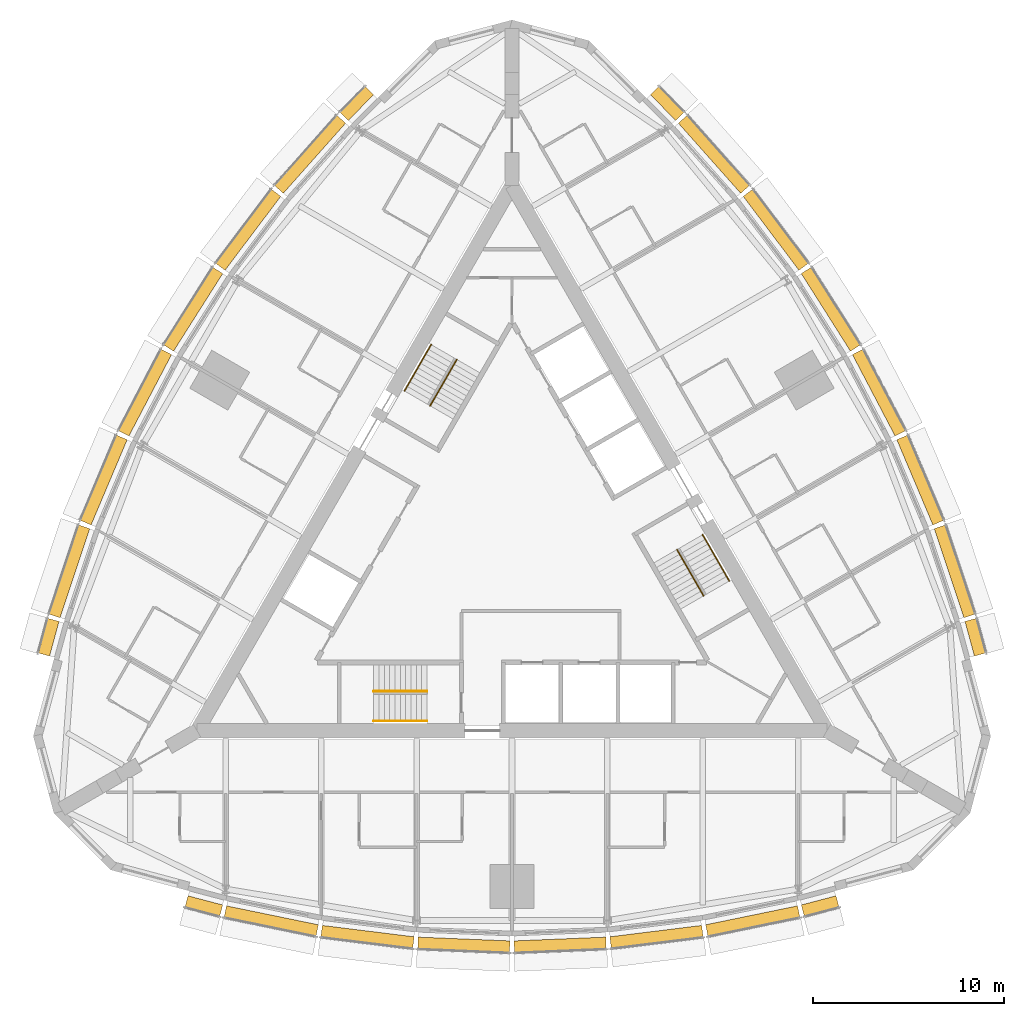
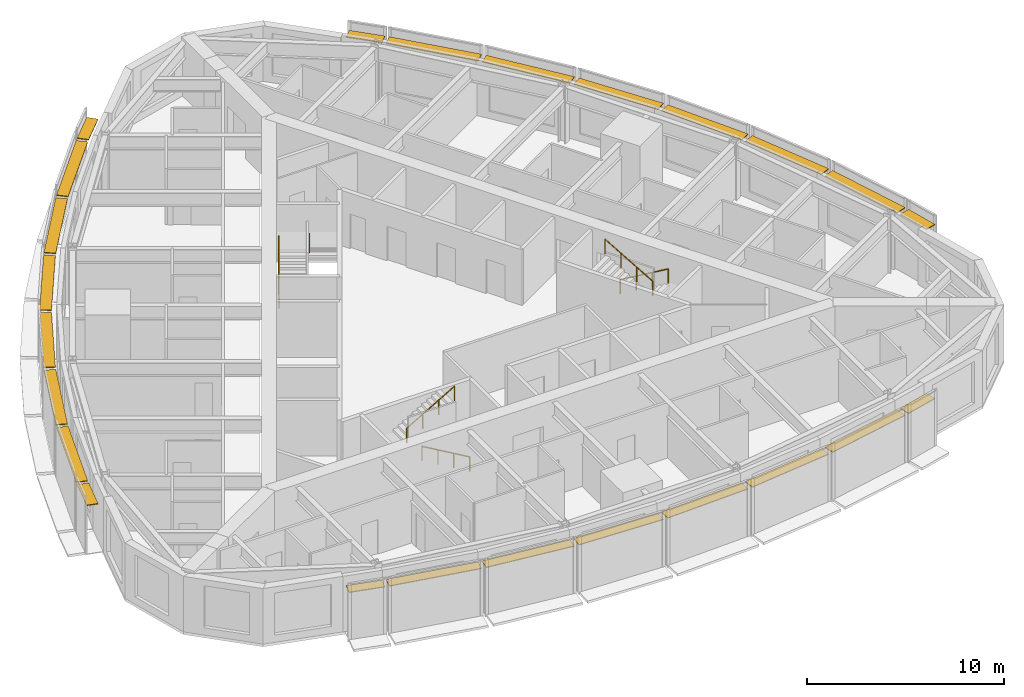
# One storey, part 15 of 15: 24 shading devices, 6 railings.
"""IFC4 building model written with IfcOpenShell, lengths in metres."""

from ifc_helpers import new_model, si_unit, direction, frame, origin, origin_2d, place, context, subcontext, project, spatial, rectangle, circle, extrude, material, type_object, element, save


model = new_model("IFC4")

# Units and contexts
model_context = context("Model", 3, precision=1e-05, world=origin(), true_north=direction((0.0, 1.0)))
body_context = subcontext(model_context, "Body", "Model", "MODEL_VIEW")
ifc_project = project(units=[si_unit("LENGTHUNIT", "METRE"), si_unit("AREAUNIT", "SQUARE_METRE"), si_unit("VOLUMEUNIT", "CUBIC_METRE"), si_unit("PLANEANGLEUNIT", "RADIAN"), si_unit("MASSUNIT", "GRAM", prefix="KILO")], contexts=[model_context])

# Site, building, storey
site_placement = place(None, origin())
site = spatial("IfcSite", under=ifc_project, at=site_placement, CompositionType="ELEMENT")
building_placement = place(site_placement, origin())
building = spatial("IfcBuilding", under=site, at=building_placement, Name="Trikona Tower", CompositionType="ELEMENT")
storey_placement = place(building_placement, frame((0.0, 0.0, 204.5)))
storey = spatial("IfcBuildingStorey", under=building, at=storey_placement, Name="L54", CompositionType="ELEMENT", Elevation=204.5)

# Shading devices
ifc_material_1 = material(Name="Aluminium louvre blade, pale anodised", Category="aluminium")
shading_device_type = type_object("IfcShadingDeviceType", Name="Cavity louvre 600", PredefinedType="USERDEFINED", material=ifc_material_1)
shading_device_1_placement = place(storey_placement, frame((-16.14404296875, -18.707763671875, 2.97509765625), z_axis=(0.0, 0.0, 1.0), x_axis=(0.966993038714, -0.254802792527, 0.0)))
element("IfcShadingDevice", 1, at=shading_device_1_placement, inside=storey, type_object=shading_device_type, Name="Cavity louvre L54-00", ObjectType="LOUVRE", PredefinedType="USERDEFINED", context=body_context, shape_type="SweptSolid", body=[
    extrude(rectangle(XDim=1.87841796875, YDim=0.60009765625, at=origin_2d()), origin(), (0.0, 0.0, 1.0), 0.050048828125),
])
shading_device_2_placement = place(storey_placement, frame((-12.614013671875, -19.492919921875, 2.97509765625), z_axis=(0.0, 0.0, 1.0), x_axis=(0.979457514864, -0.201650629992, 0.0)))
element("IfcShadingDevice", 2, at=shading_device_2_placement, inside=storey, type_object=shading_device_type, Name="Cavity louvre L54-01", ObjectType="LOUVRE", PredefinedType="USERDEFINED", context=body_context, shape_type="SweptSolid", body=[
    extrude(rectangle(XDim=4.914794921875, YDim=0.60009765625, at=origin_2d()), origin(), (0.0, 0.0, 1.0), 0.050048828125),
])
shading_device_3_placement = place(storey_placement, frame((-7.5693359375, -20.323974609375, 2.97509765625), z_axis=(0.0, 0.0, 1.0), x_axis=(0.992455266199, -0.122607277901, 0.0)))
element("IfcShadingDevice", 3, at=shading_device_3_placement, inside=storey, type_object=shading_device_type, Name="Cavity louvre L54-02", ObjectType="LOUVRE", PredefinedType="USERDEFINED", context=body_context, shape_type="SweptSolid", body=[
    extrude(rectangle(XDim=4.847900390625, YDim=0.60009765625, at=origin_2d()), origin(), (0.0, 0.0, 1.0), 0.050048828125),
])
for number, where, z_axis, x_axis, name in (
    (4, (-2.523193359375, -20.739501953125, 2.97509765625), (0.0, 0.0, 1.0), (0.999153186307, -0.041144991109, 0.0), "Cavity louvre L54-03"),
    (5, (2.523193359375, -20.739501953125, 2.97509765625), (0.0, 0.0, 1.0), (0.999153186307, 0.041144991109, 0.0), "Cavity louvre L54-04"),
):
    element("IfcShadingDevice", number, at=place(storey_placement, frame(where, z_axis=z_axis, x_axis=x_axis)), inside=storey, type_object=shading_device_type, Name=name, ObjectType="LOUVRE", PredefinedType="USERDEFINED", context=body_context, shape_type="SweptSolid", body=[
        extrude(rectangle(XDim=4.814208984375, YDim=0.60009765625, at=origin_2d()), origin(), (0.0, 0.0, 1.0), 0.050048828125),
    ])
shading_device_4_placement = place(storey_placement, frame((7.5693359375, -20.323974609375, 2.97509765625), z_axis=(0.0, 0.0, 1.0), x_axis=(0.992455266199, 0.122607277901, 0.0)))
element("IfcShadingDevice", 6, at=shading_device_4_placement, inside=storey, type_object=shading_device_type, Name="Cavity louvre L54-05", ObjectType="LOUVRE", PredefinedType="USERDEFINED", context=body_context, shape_type="SweptSolid", body=[
    extrude(rectangle(XDim=4.847900390625, YDim=0.60009765625, at=origin_2d()), origin(), (0.0, 0.0, 1.0), 0.050048828125),
])
shading_device_5_placement = place(storey_placement, frame((12.614013671875, -19.492919921875, 2.97509765625), z_axis=(0.0, 0.0, 1.0), x_axis=(0.979457514864, 0.201650629992, 0.0)))
element("IfcShadingDevice", 7, at=shading_device_5_placement, inside=storey, type_object=shading_device_type, Name="Cavity louvre L54-06", ObjectType="LOUVRE", PredefinedType="USERDEFINED", context=body_context, shape_type="SweptSolid", body=[
    extrude(rectangle(XDim=4.914794921875, YDim=0.60009765625, at=origin_2d()), origin(), (0.0, 0.0, 1.0), 0.050048828125),
])
for number, where, z_axis, x_axis, name in (
    (8, (16.14404296875, -18.707763671875, 2.97509765625), (0.0, 0.0, 1.0), (0.966993038714, 0.254802792527, 0.0), "Cavity louvre L54-07"),
    (9, (24.273193359375, -4.627197265625, 2.97509765625), (0.0, 0.0, 1.0), (-0.262822408229, 0.964844226667, 0.0), "Cavity louvre L54-12"),
):
    element("IfcShadingDevice", number, at=place(storey_placement, frame(where, z_axis=z_axis, x_axis=x_axis)), inside=storey, type_object=shading_device_type, Name=name, ObjectType="LOUVRE", PredefinedType="USERDEFINED", context=body_context, shape_type="SweptSolid", body=[
        extrude(rectangle(XDim=1.87841796875, YDim=0.60009765625, at=origin_2d()), origin(), (0.0, 0.0, 1.0), 0.050048828125),
    ])
shading_device_6_placement = place(storey_placement, frame((23.1884765625, -1.177490234375, 2.97509765625), z_axis=(0.0, 0.0, 1.0), x_axis=(-0.315092532747, 0.949060954737, 0.0)))
element("IfcShadingDevice", 10, at=shading_device_6_placement, inside=storey, type_object=shading_device_type, Name="Cavity louvre L54-13", ObjectType="LOUVRE", PredefinedType="USERDEFINED", context=body_context, shape_type="SweptSolid", body=[
    extrude(rectangle(XDim=4.914794921875, YDim=0.60009765625, at=origin_2d()), origin(), (0.0, 0.0, 1.0), 0.050048828125),
])
shading_device_7_placement = place(storey_placement, frame((21.385498046875, 3.606689453125, 2.97509765625), z_axis=(0.0, 0.0, 1.0), x_axis=(-0.390051437015, 0.920793069306, 0.0)))
element("IfcShadingDevice", 11, at=shading_device_7_placement, inside=storey, type_object=shading_device_type, Name="Cavity louvre L54-14", ObjectType="LOUVRE", PredefinedType="USERDEFINED", context=body_context, shape_type="SweptSolid", body=[
    extrude(rectangle(XDim=4.847900390625, YDim=0.60009765625, at=origin_2d()), origin(), (0.0, 0.0, 1.0), 0.050048828125),
])
for number, where, z_axis, x_axis, name in (
    (12, (19.222412109375, 8.1845703125, 2.97509765625), (0.0, 0.0, 1.0), (-0.463951716224, 0.885860488459, 0.0), "Cavity louvre L54-15"),
    (13, (16.69921875, 12.554931640625, 2.97509765625), (0.0, 0.0, 1.0), (-0.535204777743, 0.844722348397, 0.0), "Cavity louvre L54-16"),
):
    element("IfcShadingDevice", number, at=place(storey_placement, frame(where, z_axis=z_axis, x_axis=x_axis)), inside=storey, type_object=shading_device_type, Name=name, ObjectType="LOUVRE", PredefinedType="USERDEFINED", context=body_context, shape_type="SweptSolid", body=[
        extrude(rectangle(XDim=4.814208984375, YDim=0.60009765625, at=origin_2d()), origin(), (0.0, 0.0, 1.0), 0.050048828125),
    ])
shading_device_8_placement = place(storey_placement, frame((13.81640625, 16.717041015625, 2.97509765625), z_axis=(0.0, 0.0, 1.0), x_axis=(-0.602401684924, 0.798193090674, 0.0)))
element("IfcShadingDevice", 14, at=shading_device_8_placement, inside=storey, type_object=shading_device_type, Name="Cavity louvre L54-17", ObjectType="LOUVRE", PredefinedType="USERDEFINED", context=body_context, shape_type="SweptSolid", body=[
    extrude(rectangle(XDim=4.847900390625, YDim=0.60009765625, at=origin_2d()), origin(), (0.0, 0.0, 1.0), 0.050048828125),
])
shading_device_9_placement = place(storey_placement, frame((10.574462890625, 20.67041015625, 2.97509765625), z_axis=(0.0, 0.0, 1.0), x_axis=(-0.664367239113, 0.747406296196, 0.0)))
element("IfcShadingDevice", 15, at=shading_device_9_placement, inside=storey, type_object=shading_device_type, Name="Cavity louvre L54-18", ObjectType="LOUVRE", PredefinedType="USERDEFINED", context=body_context, shape_type="SweptSolid", body=[
    extrude(rectangle(XDim=4.914794921875, YDim=0.60009765625, at=origin_2d()), origin(), (0.0, 0.0, 1.0), 0.050048828125),
])
for number, where, z_axis, x_axis, name in (
    (16, (8.12939453125, 23.3349609375, 2.97509765625), (0.0, 0.0, 1.0), (-0.704151057285, 0.710050201412, 0.0), "Cavity louvre L54-19"),
    (17, (-8.12939453125, 23.3349609375, 2.97509765625), (0.0, 0.0, 1.0), (-0.704151057285, -0.710050201412, 0.0), "Cavity louvre L54-24"),
):
    element("IfcShadingDevice", number, at=place(storey_placement, frame(where, z_axis=z_axis, x_axis=x_axis)), inside=storey, type_object=shading_device_type, Name=name, ObjectType="LOUVRE", PredefinedType="USERDEFINED", context=body_context, shape_type="SweptSolid", body=[
        extrude(rectangle(XDim=1.87841796875, YDim=0.60009765625, at=origin_2d()), origin(), (0.0, 0.0, 1.0), 0.050048828125),
    ])
shading_device_10_placement = place(storey_placement, frame((-10.574462890625, 20.67041015625, 2.97509765625), z_axis=(0.0, 0.0, 1.0), x_axis=(-0.664367239113, -0.747406296196, 0.0)))
element("IfcShadingDevice", 18, at=shading_device_10_placement, inside=storey, type_object=shading_device_type, Name="Cavity louvre L54-25", ObjectType="LOUVRE", PredefinedType="USERDEFINED", context=body_context, shape_type="SweptSolid", body=[
    extrude(rectangle(XDim=4.914794921875, YDim=0.60009765625, at=origin_2d()), origin(), (0.0, 0.0, 1.0), 0.050048828125),
])
shading_device_11_placement = place(storey_placement, frame((-13.81640625, 16.717041015625, 2.97509765625), z_axis=(0.0, 0.0, 1.0), x_axis=(-0.602401684924, -0.798193090674, 0.0)))
element("IfcShadingDevice", 19, at=shading_device_11_placement, inside=storey, type_object=shading_device_type, Name="Cavity louvre L54-26", ObjectType="LOUVRE", PredefinedType="USERDEFINED", context=body_context, shape_type="SweptSolid", body=[
    extrude(rectangle(XDim=4.847900390625, YDim=0.60009765625, at=origin_2d()), origin(), (0.0, 0.0, 1.0), 0.050048828125),
])
for number, where, z_axis, x_axis, name in (
    (20, (-16.69921875, 12.554931640625, 2.97509765625), (0.0, 0.0, 1.0), (-0.535204777743, -0.844722348397, 0.0), "Cavity louvre L54-27"),
    (21, (-19.222412109375, 8.1845703125, 2.97509765625), (0.0, 0.0, 1.0), (-0.463951716224, -0.885860488459, 0.0), "Cavity louvre L54-28"),
):
    element("IfcShadingDevice", number, at=place(storey_placement, frame(where, z_axis=z_axis, x_axis=x_axis)), inside=storey, type_object=shading_device_type, Name=name, ObjectType="LOUVRE", PredefinedType="USERDEFINED", context=body_context, shape_type="SweptSolid", body=[
        extrude(rectangle(XDim=4.814208984375, YDim=0.60009765625, at=origin_2d()), origin(), (0.0, 0.0, 1.0), 0.050048828125),
    ])
shading_device_12_placement = place(storey_placement, frame((-21.385498046875, 3.606689453125, 2.97509765625), z_axis=(0.0, 0.0, 1.0), x_axis=(-0.390051437015, -0.920793069306, 0.0)))
element("IfcShadingDevice", 22, at=shading_device_12_placement, inside=storey, type_object=shading_device_type, Name="Cavity louvre L54-29", ObjectType="LOUVRE", PredefinedType="USERDEFINED", context=body_context, shape_type="SweptSolid", body=[
    extrude(rectangle(XDim=4.847900390625, YDim=0.60009765625, at=origin_2d()), origin(), (0.0, 0.0, 1.0), 0.050048828125),
])
shading_device_13_placement = place(storey_placement, frame((-23.1884765625, -1.177490234375, 2.97509765625), z_axis=(0.0, 0.0, 1.0), x_axis=(-0.315092532747, -0.949060954737, 0.0)))
element("IfcShadingDevice", 23, at=shading_device_13_placement, inside=storey, type_object=shading_device_type, Name="Cavity louvre L54-30", ObjectType="LOUVRE", PredefinedType="USERDEFINED", context=body_context, shape_type="SweptSolid", body=[
    extrude(rectangle(XDim=4.914794921875, YDim=0.60009765625, at=origin_2d()), origin(), (0.0, 0.0, 1.0), 0.050048828125),
])
shading_device_14_placement = place(storey_placement, frame((-24.273193359375, -4.627197265625, 2.97509765625), z_axis=(0.0, 0.0, 1.0), x_axis=(-0.262822408229, -0.964844226667, 0.0)))
element("IfcShadingDevice", 24, at=shading_device_14_placement, inside=storey, type_object=shading_device_type, Name="Cavity louvre L54-31", ObjectType="LOUVRE", PredefinedType="USERDEFINED", context=body_context, shape_type="SweptSolid", body=[
    extrude(rectangle(XDim=1.87841796875, YDim=0.60009765625, at=origin_2d()), origin(), (0.0, 0.0, 1.0), 0.050048828125),
])

# Railings
ifc_material_2 = material(Name="Stainless steel handrail", Category="steel")
railing_type = type_object("IfcRailingType", Name="Stair handrail", PredefinedType="HANDRAIL", material=ifc_material_2)
railing_1_placement = place(storey_placement, frame((-4.449951171875, -9.016357421875, 0.16357421875)))
element("IfcRailing", 25, at=railing_1_placement, inside=storey, type_object=railing_type, Name="Stair handrail A L54 1", PredefinedType="HANDRAIL", context=body_context, shape_type="SweptSolid", body=[
    extrude(circle(Radius=0.02392578125, at=origin_2d()), frame((0.0, 0.0, 0.8759765625), z_axis=(-0.863360870873, 0.0, 0.504586966384), x_axis=(0.0, -1.0, 0.0)), (0.0, 0.0, 1.0), 3.2431640625),
    extrude(circle(Radius=0.02099609375, at=origin_2d()), origin(), (0.0, 0.0, 1.0), 0.851806640625),
    extrude(circle(Radius=0.02099609375, at=origin_2d()), frame((-0.933349609375, 0.0, 0.54541015625)), (0.0, 0.0, 1.0), 0.851806640625),
    extrude(circle(Radius=0.02099609375, at=origin_2d()), frame((-1.86669921875, 0.0, 1.091064453125)), (0.0, 0.0, 1.0), 0.851806640625),
    extrude(circle(Radius=0.02099609375, at=origin_2d()), frame((-2.800048828125, 0.0, 1.636474609375)), (0.0, 0.0, 1.0), 0.851806640625),
])
railing_2_placement = place(storey_placement, frame((-7.25, -7.46630859375, 1.963623046875)))
element("IfcRailing", 26, at=railing_2_placement, inside=storey, type_object=railing_type, Name="Stair handrail A L54 2", PredefinedType="HANDRAIL", context=body_context, shape_type="SweptSolid", body=[
    extrude(circle(Radius=0.02392578125, at=origin_2d()), frame((0.0, 0.0, 0.8759765625), z_axis=(0.863360870873, 0.0, 0.504586966384), x_axis=(0.0, 1.0, 0.0)), (0.0, 0.0, 1.0), 3.2431640625),
    extrude(circle(Radius=0.02099609375, at=origin_2d()), origin(), (0.0, 0.0, 1.0), 0.851806640625),
    extrude(circle(Radius=0.02099609375, at=origin_2d()), frame((0.933349609375, 0.0, 0.54541015625)), (0.0, 0.0, 1.0), 0.851806640625),
    extrude(circle(Radius=0.02099609375, at=origin_2d()), frame((1.86669921875, 0.0, 1.091064453125)), (0.0, 0.0, 1.0), 0.851806640625),
    extrude(circle(Radius=0.02099609375, at=origin_2d()), frame((2.800048828125, 0.0, 1.636474609375)), (0.0, 0.0, 1.0), 0.851806640625),
])
railing_3_placement = place(storey_placement, frame((9.9833984375, 0.740966796875, 0.16357421875)))
element("IfcRailing", 27, at=railing_3_placement, inside=storey, type_object=railing_type, Name="Stair handrail B L54 1", PredefinedType="HANDRAIL", context=body_context, shape_type="SweptSolid", body=[
    extrude(circle(Radius=0.02392578125, at=origin_2d()), frame((0.0, 0.0, 0.8759765625), z_axis=(0.431636334334, -0.747723004699, 0.504579412111), x_axis=(0.866056369097, 0.49994636267, 0.0)), (0.0, 0.0, 1.0), 3.2431640625),
    extrude(circle(Radius=0.02099609375, at=origin_2d()), origin(), (0.0, 0.0, 1.0), 0.851806640625),
    extrude(circle(Radius=0.02099609375, at=origin_2d()), frame((0.466552734375, -0.808349609375, 0.54541015625)), (0.0, 0.0, 1.0), 0.851806640625),
    extrude(circle(Radius=0.02099609375, at=origin_2d()), frame((0.933349609375, -1.61669921875, 1.091064453125)), (0.0, 0.0, 1.0), 0.851806640625),
    extrude(circle(Radius=0.02099609375, at=origin_2d()), frame((1.39990234375, -2.425048828125, 1.636474609375)), (0.0, 0.0, 1.0), 0.851806640625),
])
railing_4_placement = place(storey_placement, frame((10.041015625, -2.458984375, 1.963623046875)))
element("IfcRailing", 28, at=railing_4_placement, inside=storey, type_object=railing_type, Name="Stair handrail B L54 2", PredefinedType="HANDRAIL", context=body_context, shape_type="SweptSolid", body=[
    extrude(circle(Radius=0.02392578125, at=origin_2d()), frame((0.0, 0.0, 0.8759765625), z_axis=(-0.431636334334, 0.747723004699, 0.504579412111), x_axis=(-0.866056369097, -0.49994636267, 0.0)), (0.0, 0.0, 1.0), 3.2431640625),
    extrude(circle(Radius=0.02099609375, at=origin_2d()), origin(), (0.0, 0.0, 1.0), 0.851806640625),
    extrude(circle(Radius=0.02099609375, at=origin_2d()), frame((-0.466552734375, 0.808349609375, 0.54541015625)), (0.0, 0.0, 1.0), 0.851806640625),
    extrude(circle(Radius=0.02099609375, at=origin_2d()), frame((-0.933349609375, 1.61669921875, 1.091064453125)), (0.0, 0.0, 1.0), 0.851806640625),
    extrude(circle(Radius=0.02099609375, at=origin_2d()), frame((-1.39990234375, 2.425048828125, 1.636474609375)), (0.0, 0.0, 1.0), 0.851806640625),
])
railing_5_placement = place(storey_placement, frame((-5.63330078125, 8.275390625, 0.16357421875)))
element("IfcRailing", 29, at=railing_5_placement, inside=storey, type_object=railing_type, Name="Stair handrail C L54 1", PredefinedType="HANDRAIL", context=body_context, shape_type="SweptSolid", body=[
    extrude(circle(Radius=0.02392578125, at=origin_2d()), frame((0.0, 0.0, 0.8759765625), z_axis=(0.431660630283, 0.747689811644, 0.504607813879), x_axis=(-0.866034573852, 0.49998411664, 0.0)), (0.0, 0.0, 1.0), 3.2431640625),
    extrude(circle(Radius=0.02099609375, at=origin_2d()), origin(), (0.0, 0.0, 1.0), 0.851806640625),
    extrude(circle(Radius=0.02099609375, at=origin_2d()), frame((0.466552734375, 0.808349609375, 0.54541015625)), (0.0, 0.0, 1.0), 0.851806640625),
    extrude(circle(Radius=0.02099609375, at=origin_2d()), frame((0.933349609375, 1.616455078125, 1.091064453125)), (0.0, 0.0, 1.0), 0.851806640625),
    extrude(circle(Radius=0.02099609375, at=origin_2d()), frame((1.39990234375, 2.4248046875, 1.636474609375)), (0.0, 0.0, 1.0), 0.851806640625),
])
railing_6_placement = place(storey_placement, frame((-2.89111328125, 9.92529296875, 1.963623046875)))
element("IfcRailing", 30, at=railing_6_placement, inside=storey, type_object=railing_type, Name="Stair handrail C L54 2", PredefinedType="HANDRAIL", context=body_context, shape_type="SweptSolid", body=[
    extrude(circle(Radius=0.02392578125, at=origin_2d()), frame((0.0, 0.0, 0.8759765625), z_axis=(-0.431636334334, -0.747723004699, 0.504579412111), x_axis=(0.866056369097, -0.49994636267, 0.0)), (0.0, 0.0, 1.0), 3.2431640625),
    extrude(circle(Radius=0.02099609375, at=origin_2d()), origin(), (0.0, 0.0, 1.0), 0.851806640625),
    extrude(circle(Radius=0.02099609375, at=origin_2d()), frame((-0.466552734375, -0.808349609375, 0.54541015625)), (0.0, 0.0, 1.0), 0.851806640625),
    extrude(circle(Radius=0.02099609375, at=origin_2d()), frame((-0.933349609375, -1.61669921875, 1.091064453125)), (0.0, 0.0, 1.0), 0.851806640625),
    extrude(circle(Radius=0.02099609375, at=origin_2d()), frame((-1.39990234375, -2.425048828125, 1.636474609375)), (0.0, 0.0, 1.0), 0.851806640625),
])

save(model, "model.ifc")
